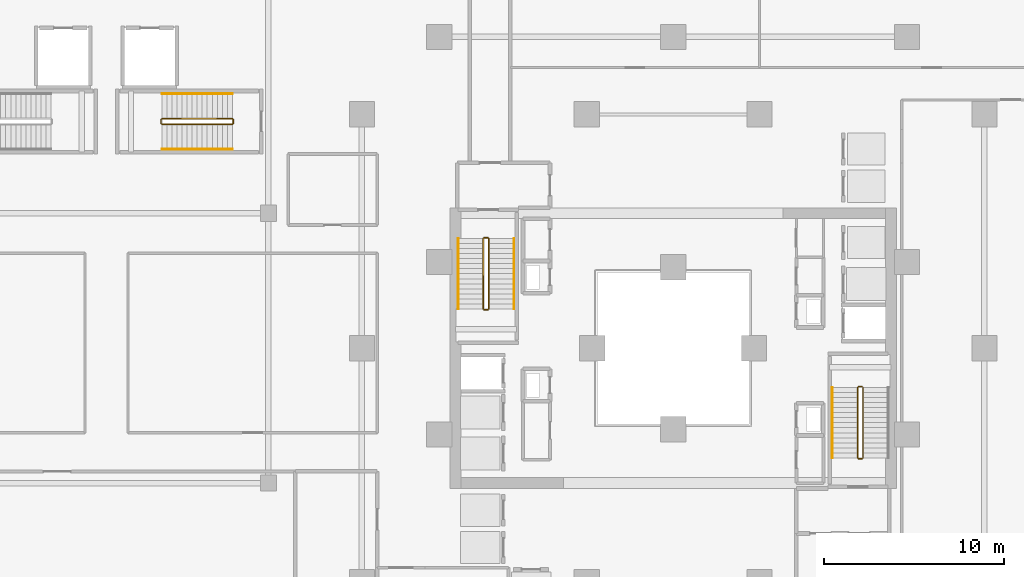
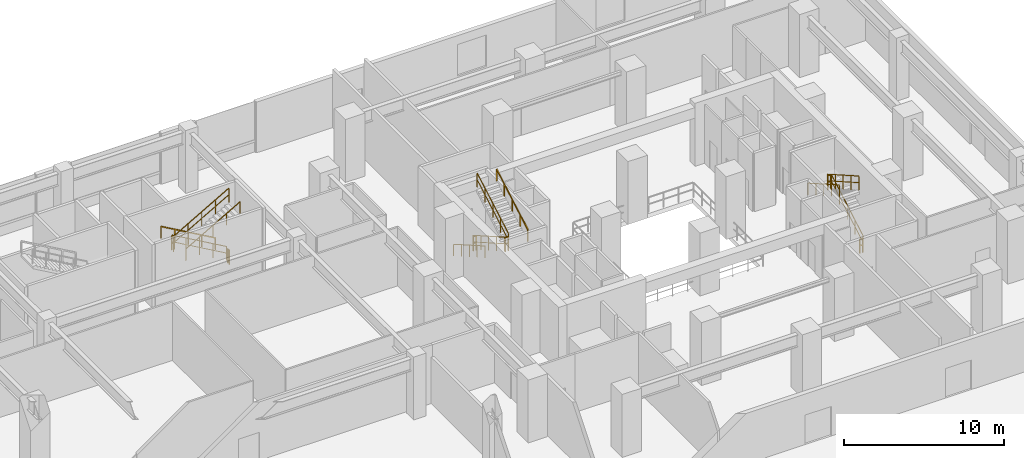
# One storey, part 22 of 24: 17 railings.
"""IFC4 building model written with IfcOpenShell, lengths in metres."""

from ifc_helpers import new_model, si_unit, direction, frame, origin, origin_2d, place, context, subcontext, project, spatial, rectangle, extrude, material, type_object, element, save


model = new_model("IFC4")

# Units and contexts
model_context = context("Model", 3, precision=1e-05, world=origin(), true_north=direction((0.0, 1.0)))
body_context = subcontext(model_context, "Body", "Model", "MODEL_VIEW")
ifc_project = project(units=[si_unit("LENGTHUNIT", "METRE"), si_unit("AREAUNIT", "SQUARE_METRE"), si_unit("VOLUMEUNIT", "CUBIC_METRE"), si_unit("PLANEANGLEUNIT", "RADIAN"), si_unit("MASSUNIT", "GRAM", prefix="KILO")], contexts=[model_context])

# Site, building, storey
site_placement = place(None, origin())
site = spatial("IfcSite", under=ifc_project, at=site_placement, CompositionType="ELEMENT")
building_placement = place(site_placement, origin())
building = spatial("IfcBuilding", under=site, at=building_placement, Name="Thornwick Lancets Civic Towers", CompositionType="ELEMENT")
storey_placement = place(building_placement, origin())
storey = spatial("IfcBuildingStorey", under=building, at=storey_placement, Name="L00", CompositionType="ELEMENT", Elevation=0.0)

# Railings
ifc_material_1 = material(Name="Brushed stainless steel S355", Category="steel")
railing_type_1 = type_object("IfcRailingType", Name="RAIL_HANDRAIL", PredefinedType="HANDRAIL", material=ifc_material_1)
for number, where, name in (
    (1, (97.35009765625, 24.820068359375, 2.56005859375), "L00 ST-B1 stair handrail 2"),
    (2, (76.550048828125, 33.10009765625, 0.159912109375), "L00 ST-B2 stair handrail 1"),
):
    element("IfcRailing", number, at=place(storey_placement, frame(where)), inside=storey, type_object=railing_type_1, Name=name, PredefinedType="HANDRAIL", context=body_context, shape_type="SweptSolid", body=[
        extrude(rectangle(XDim=0.048095703125, YDim=0.048095703125, at=origin_2d()), frame((0.0, 0.0, 0.8857421875), z_axis=(0.0, -0.86825312469, 0.496121468458), x_axis=(1.0, 0.0, 0.0)), (0.0, 0.0, 1.0), 4.514892578125),
        extrude(rectangle(XDim=0.0419921875, YDim=0.0419921875, at=origin_2d()), origin(), (0.0, 0.0, 1.0), 0.855712890625),
        extrude(rectangle(XDim=0.0419921875, YDim=0.0419921875, at=origin_2d()), frame((0.0, -0.97998046875, 0.56005859375)), (0.0, 0.0, 1.0), 0.855712890625),
        extrude(rectangle(XDim=0.0419921875, YDim=0.0419921875, at=origin_2d()), frame((0.0, -1.9599609375, 1.1201171875)), (0.0, 0.0, 1.0), 0.855712890625),
        extrude(rectangle(XDim=0.0419921875, YDim=0.0419921875, at=origin_2d()), frame((0.0, -2.940185546875, 1.679931640625)), (0.0, 0.0, 1.0), 0.855712890625),
        extrude(rectangle(XDim=0.0419921875, YDim=0.0419921875, at=origin_2d()), frame((0.0, -3.920166015625, 2.239990234375)), (0.0, 0.0, 1.0), 0.855712890625),
    ])
railing_1_placement = place(storey_placement, frame((79.64990234375, 29.179931640625, 2.56005859375)))
element("IfcRailing", 3, at=railing_1_placement, inside=storey, type_object=railing_type_1, Name="L00 ST-B2 stair handrail 2", PredefinedType="HANDRAIL", context=body_context, shape_type="SweptSolid", body=[
    extrude(rectangle(XDim=0.048095703125, YDim=0.048095703125, at=origin_2d()), frame((0.0, 0.0, 0.8857421875), z_axis=(0.0, 0.86825312469, 0.496121468458), x_axis=(-1.0, 0.0, 0.0)), (0.0, 0.0, 1.0), 4.514892578125),
    extrude(rectangle(XDim=0.0419921875, YDim=0.0419921875, at=origin_2d()), origin(), (0.0, 0.0, 1.0), 0.855712890625),
    extrude(rectangle(XDim=0.0419921875, YDim=0.0419921875, at=origin_2d()), frame((0.0, 0.97998046875, 0.56005859375)), (0.0, 0.0, 1.0), 0.855712890625),
    extrude(rectangle(XDim=0.0419921875, YDim=0.0419921875, at=origin_2d()), frame((0.0, 1.9599609375, 1.1201171875)), (0.0, 0.0, 1.0), 0.855712890625),
    extrude(rectangle(XDim=0.0419921875, YDim=0.0419921875, at=origin_2d()), frame((0.0, 2.940185546875, 1.679931640625)), (0.0, 0.0, 1.0), 0.855712890625),
    extrude(rectangle(XDim=0.0419921875, YDim=0.0419921875, at=origin_2d()), frame((0.0, 3.920166015625, 2.239990234375)), (0.0, 0.0, 1.0), 0.855712890625),
])
railing_2_placement = place(storey_placement, frame((64.0, 41.14990234375, 0.159912109375)))
element("IfcRailing", 4, at=railing_2_placement, inside=storey, type_object=railing_type_1, Name="L00 ST-P6 stair handrail 1", PredefinedType="HANDRAIL", context=body_context, shape_type="SweptSolid", body=[
    extrude(rectangle(XDim=0.048095703125, YDim=0.048095703125, at=origin_2d()), frame((0.0, 0.0, 0.8857421875), z_axis=(-0.868239814368, 0.0, 0.496144761885), x_axis=(0.0, -1.0, 0.0)), (0.0, 0.0, 1.0), 4.514892578125),
    extrude(rectangle(XDim=0.0419921875, YDim=0.0419921875, at=origin_2d()), origin(), (0.0, 0.0, 1.0), 0.855712890625),
    extrude(rectangle(XDim=0.0419921875, YDim=0.0419921875, at=origin_2d()), frame((-0.97998046875, 0.0, 0.56005859375)), (0.0, 0.0, 1.0), 0.855712890625),
    extrude(rectangle(XDim=0.0419921875, YDim=0.0419921875, at=origin_2d()), frame((-1.9599609375, 0.0, 1.1201171875)), (0.0, 0.0, 1.0), 0.855712890625),
    extrude(rectangle(XDim=0.0419921875, YDim=0.0419921875, at=origin_2d()), frame((-2.93994140625, 0.0, 1.679931640625)), (0.0, 0.0, 1.0), 0.855712890625),
    extrude(rectangle(XDim=0.0419921875, YDim=0.0419921875, at=origin_2d()), frame((-3.919921875, 0.0, 2.239990234375)), (0.0, 0.0, 1.0), 0.855712890625),
])
railing_3_placement = place(storey_placement, frame((60.080078125, 38.050048828125, 2.56005859375)))
element("IfcRailing", 5, at=railing_3_placement, inside=storey, type_object=railing_type_1, Name="L00 ST-P6 stair handrail 2", PredefinedType="HANDRAIL", context=body_context, shape_type="SweptSolid", body=[
    extrude(rectangle(XDim=0.048095703125, YDim=0.048095703125, at=origin_2d()), frame((0.0, 0.0, 0.8857421875), z_axis=(0.868239814368, 0.0, 0.496144761885), x_axis=(0.0, 1.0, 0.0)), (0.0, 0.0, 1.0), 4.514892578125),
    extrude(rectangle(XDim=0.0419921875, YDim=0.0419921875, at=origin_2d()), origin(), (0.0, 0.0, 1.0), 0.855712890625),
    extrude(rectangle(XDim=0.0419921875, YDim=0.0419921875, at=origin_2d()), frame((0.97998046875, 0.0, 0.56005859375)), (0.0, 0.0, 1.0), 0.855712890625),
    extrude(rectangle(XDim=0.0419921875, YDim=0.0419921875, at=origin_2d()), frame((1.9599609375, 0.0, 1.1201171875)), (0.0, 0.0, 1.0), 0.855712890625),
    extrude(rectangle(XDim=0.0419921875, YDim=0.0419921875, at=origin_2d()), frame((2.93994140625, 0.0, 1.679931640625)), (0.0, 0.0, 1.0), 0.855712890625),
    extrude(rectangle(XDim=0.0419921875, YDim=0.0419921875, at=origin_2d()), frame((3.919921875, 0.0, 2.239990234375)), (0.0, 0.0, 1.0), 0.855712890625),
])
ifc_material_2 = material(Name="Steel S355JR", Category="steel")
railing_type_2 = type_object("IfcRailingType", Name="RAIL_STAIR_GUARD", PredefinedType="GUARDRAIL", material=ifc_material_2)
railing_4_placement = place(storey_placement, frame((99.050048828125, 20.89990234375, 0.159912109375)))
element("IfcRailing", 6, at=railing_4_placement, inside=storey, type_object=railing_type_2, Name="L00 ST-B1 stair guard 1", PredefinedType="GUARDRAIL", context=body_context, shape_type="SweptSolid", body=[
    extrude(rectangle(XDim=0.048095703125, YDim=0.048095703125, at=origin_2d()), frame((0.0, 0.0, 1.076171875), z_axis=(0.0, 0.86825312469, 0.496121468458), x_axis=(-1.0, 0.0, 0.0)), (0.0, 0.0, 1.0), 4.514892578125),
    extrude(rectangle(XDim=0.0419921875, YDim=0.0419921875, at=origin_2d()), frame((0.0, 0.032470703125, 0.590576171875), z_axis=(0.0, 0.86825312469, 0.496121468458), x_axis=(-1.0, 0.0, 0.0)), (0.0, 0.0, 1.0), 1.0537109375),
    extrude(rectangle(XDim=0.0419921875, YDim=0.0419921875, at=origin_2d()), frame((0.0, 1.0126953125, 1.150634765625), z_axis=(0.0, 0.86825312469, 0.496121468458), x_axis=(-1.0, 0.0, 0.0)), (0.0, 0.0, 1.0), 1.0537109375),
    extrude(rectangle(XDim=0.0419921875, YDim=0.0419921875, at=origin_2d()), frame((0.0, 1.99267578125, 1.710693359375), z_axis=(0.0, 0.86825312469, 0.496121468458), x_axis=(-1.0, 0.0, 0.0)), (0.0, 0.0, 1.0), 1.0537109375),
    extrude(rectangle(XDim=0.0419921875, YDim=0.0419921875, at=origin_2d()), frame((0.0, 2.97265625, 2.270751953125), z_axis=(0.0, 0.86825312469, 0.496121468458), x_axis=(-1.0, 0.0, 0.0)), (0.0, 0.0, 1.0), 1.0537109375),
    extrude(rectangle(XDim=0.0419921875, YDim=0.0419921875, at=origin_2d()), origin(), (0.0, 0.0, 1.0), 1.0458984375),
    extrude(rectangle(XDim=0.0419921875, YDim=0.0419921875, at=origin_2d()), frame((0.0, 0.97998046875, 0.56005859375)), (0.0, 0.0, 1.0), 1.0458984375),
    extrude(rectangle(XDim=0.0419921875, YDim=0.0419921875, at=origin_2d()), frame((0.0, 1.9599609375, 1.1201171875)), (0.0, 0.0, 1.0), 1.0458984375),
    extrude(rectangle(XDim=0.0419921875, YDim=0.0419921875, at=origin_2d()), frame((0.0, 2.940185546875, 1.679931640625)), (0.0, 0.0, 1.0), 1.0458984375),
    extrude(rectangle(XDim=0.0419921875, YDim=0.0419921875, at=origin_2d()), frame((0.0, 3.920166015625, 2.239990234375)), (0.0, 0.0, 1.0), 1.0458984375),
])
railing_5_placement = place(storey_placement, frame((99.0, 24.8701171875, 2.39990234375)))
element("IfcRailing", 7, at=railing_5_placement, inside=storey, type_object=railing_type_2, Name="L00 ST-B1 stair guard 2", PredefinedType="GUARDRAIL", context=body_context, shape_type="SweptSolid", body=[
    extrude(rectangle(XDim=0.048095703125, YDim=0.048095703125, at=origin_2d()), frame((0.0, 0.0, 1.076171875), z_axis=(-1.0, 0.0, 0.0), x_axis=(0.0, -1.0, 0.0)), (0.0, 0.0, 1.0), 0.199951171875),
    extrude(rectangle(XDim=0.0419921875, YDim=0.0419921875, at=origin_2d()), frame((-0.03759765625, 0.0, 0.572021484375), z_axis=(-1.0, 0.0, 0.0), x_axis=(0.0, -1.0, 0.0)), (0.0, 0.0, 1.0), 0.125),
    extrude(rectangle(XDim=0.0419921875, YDim=0.0419921875, at=origin_2d()), origin(), (0.0, 0.0, 1.0), 1.0458984375),
    extrude(rectangle(XDim=0.0419921875, YDim=0.0419921875, at=origin_2d()), frame((-0.199951171875, 0.0, 0.0)), (0.0, 0.0, 1.0), 1.0458984375),
])
railing_6_placement = place(storey_placement, frame((98.75, 24.820068359375, 2.56005859375)))
element("IfcRailing", 8, at=railing_6_placement, inside=storey, type_object=railing_type_2, Name="L00 ST-B1 stair guard 3", PredefinedType="GUARDRAIL", context=body_context, shape_type="SweptSolid", body=[
    extrude(rectangle(XDim=0.048095703125, YDim=0.048095703125, at=origin_2d()), frame((0.0, 0.0, 1.076171875), z_axis=(0.0, -0.86825312469, 0.496121468458), x_axis=(1.0, 0.0, 0.0)), (0.0, 0.0, 1.0), 4.514892578125),
    extrude(rectangle(XDim=0.0419921875, YDim=0.0419921875, at=origin_2d()), frame((0.0, -0.032470703125, 0.590576171875), z_axis=(0.0, -0.86825312469, 0.496121468458), x_axis=(1.0, 0.0, 0.0)), (0.0, 0.0, 1.0), 1.0537109375),
    extrude(rectangle(XDim=0.0419921875, YDim=0.0419921875, at=origin_2d()), frame((0.0, -1.0126953125, 1.150634765625), z_axis=(0.0, -0.86825312469, 0.496121468458), x_axis=(1.0, 0.0, 0.0)), (0.0, 0.0, 1.0), 1.0537109375),
    extrude(rectangle(XDim=0.0419921875, YDim=0.0419921875, at=origin_2d()), frame((0.0, -1.99267578125, 1.710693359375), z_axis=(0.0, -0.86825312469, 0.496121468458), x_axis=(1.0, 0.0, 0.0)), (0.0, 0.0, 1.0), 1.0537109375),
    extrude(rectangle(XDim=0.0419921875, YDim=0.0419921875, at=origin_2d()), frame((0.0, -2.97265625, 2.270751953125), z_axis=(0.0, -0.86825312469, 0.496121468458), x_axis=(1.0, 0.0, 0.0)), (0.0, 0.0, 1.0), 1.0537109375),
    extrude(rectangle(XDim=0.0419921875, YDim=0.0419921875, at=origin_2d()), origin(), (0.0, 0.0, 1.0), 1.0458984375),
    extrude(rectangle(XDim=0.0419921875, YDim=0.0419921875, at=origin_2d()), frame((0.0, -0.97998046875, 0.56005859375)), (0.0, 0.0, 1.0), 1.0458984375),
    extrude(rectangle(XDim=0.0419921875, YDim=0.0419921875, at=origin_2d()), frame((0.0, -1.9599609375, 1.1201171875)), (0.0, 0.0, 1.0), 1.0458984375),
    extrude(rectangle(XDim=0.0419921875, YDim=0.0419921875, at=origin_2d()), frame((0.0, -2.940185546875, 1.679931640625)), (0.0, 0.0, 1.0), 1.0458984375),
    extrude(rectangle(XDim=0.0419921875, YDim=0.0419921875, at=origin_2d()), frame((0.0, -3.920166015625, 2.239990234375)), (0.0, 0.0, 1.0), 1.0458984375),
])
railing_7_placement = place(storey_placement, frame((99.0, 20.85009765625, 0.0)))
element("IfcRailing", 9, at=railing_7_placement, inside=storey, type_object=railing_type_2, Name="L00 ST-B1 stair guard 4", PredefinedType="GUARDRAIL", context=body_context, shape_type="SweptSolid", body=[
    extrude(rectangle(XDim=0.048095703125, YDim=0.048095703125, at=origin_2d()), frame((0.0, 0.0, 1.076171875), z_axis=(-1.0, 0.0, 0.0), x_axis=(0.0, -1.0, 0.0)), (0.0, 0.0, 1.0), 0.199951171875),
    extrude(rectangle(XDim=0.0419921875, YDim=0.0419921875, at=origin_2d()), frame((-0.03759765625, 0.0, 0.572021484375), z_axis=(-1.0, 0.0, 0.0), x_axis=(0.0, -1.0, 0.0)), (0.0, 0.0, 1.0), 0.125),
    extrude(rectangle(XDim=0.0419921875, YDim=0.0419921875, at=origin_2d()), origin(), (0.0, 0.0, 1.0), 1.0458984375),
    extrude(rectangle(XDim=0.0419921875, YDim=0.0419921875, at=origin_2d()), frame((-0.199951171875, 0.0, 0.0)), (0.0, 0.0, 1.0), 1.0458984375),
])
railing_8_placement = place(storey_placement, frame((77.949951171875, 33.10009765625, 0.159912109375)))
element("IfcRailing", 10, at=railing_8_placement, inside=storey, type_object=railing_type_2, Name="L00 ST-B2 stair guard 1", PredefinedType="GUARDRAIL", context=body_context, shape_type="SweptSolid", body=[
    extrude(rectangle(XDim=0.048095703125, YDim=0.048095703125, at=origin_2d()), frame((0.0, 0.0, 1.076171875), z_axis=(0.0, -0.86825312469, 0.496121468458), x_axis=(1.0, 0.0, 0.0)), (0.0, 0.0, 1.0), 4.514892578125),
    extrude(rectangle(XDim=0.0419921875, YDim=0.0419921875, at=origin_2d()), frame((0.0, -0.032470703125, 0.590576171875), z_axis=(0.0, -0.86825312469, 0.496121468458), x_axis=(1.0, 0.0, 0.0)), (0.0, 0.0, 1.0), 1.0537109375),
    extrude(rectangle(XDim=0.0419921875, YDim=0.0419921875, at=origin_2d()), frame((0.0, -1.0126953125, 1.150634765625), z_axis=(0.0, -0.86825312469, 0.496121468458), x_axis=(1.0, 0.0, 0.0)), (0.0, 0.0, 1.0), 1.0537109375),
    extrude(rectangle(XDim=0.0419921875, YDim=0.0419921875, at=origin_2d()), frame((0.0, -1.99267578125, 1.710693359375), z_axis=(0.0, -0.86825312469, 0.496121468458), x_axis=(1.0, 0.0, 0.0)), (0.0, 0.0, 1.0), 1.0537109375),
    extrude(rectangle(XDim=0.0419921875, YDim=0.0419921875, at=origin_2d()), frame((0.0, -2.97265625, 2.270751953125), z_axis=(0.0, -0.86825312469, 0.496121468458), x_axis=(1.0, 0.0, 0.0)), (0.0, 0.0, 1.0), 1.0537109375),
    extrude(rectangle(XDim=0.0419921875, YDim=0.0419921875, at=origin_2d()), origin(), (0.0, 0.0, 1.0), 1.0458984375),
    extrude(rectangle(XDim=0.0419921875, YDim=0.0419921875, at=origin_2d()), frame((0.0, -0.97998046875, 0.56005859375)), (0.0, 0.0, 1.0), 1.0458984375),
    extrude(rectangle(XDim=0.0419921875, YDim=0.0419921875, at=origin_2d()), frame((0.0, -1.9599609375, 1.1201171875)), (0.0, 0.0, 1.0), 1.0458984375),
    extrude(rectangle(XDim=0.0419921875, YDim=0.0419921875, at=origin_2d()), frame((0.0, -2.940185546875, 1.679931640625)), (0.0, 0.0, 1.0), 1.0458984375),
    extrude(rectangle(XDim=0.0419921875, YDim=0.0419921875, at=origin_2d()), frame((0.0, -3.920166015625, 2.239990234375)), (0.0, 0.0, 1.0), 1.0458984375),
])
railing_9_placement = place(storey_placement, frame((78.0, 29.1298828125, 2.39990234375)))
element("IfcRailing", 11, at=railing_9_placement, inside=storey, type_object=railing_type_2, Name="L00 ST-B2 stair guard 2", PredefinedType="GUARDRAIL", context=body_context, shape_type="SweptSolid", body=[
    extrude(rectangle(XDim=0.048095703125, YDim=0.048095703125, at=origin_2d()), frame((0.0, 0.0, 1.076171875), z_axis=(1.0, 0.0, 0.0), x_axis=(0.0, 1.0, 0.0)), (0.0, 0.0, 1.0), 0.199951171875),
    extrude(rectangle(XDim=0.0419921875, YDim=0.0419921875, at=origin_2d()), frame((0.03759765625, 0.0, 0.572021484375), z_axis=(1.0, 0.0, 0.0), x_axis=(0.0, 1.0, 0.0)), (0.0, 0.0, 1.0), 0.125),
    extrude(rectangle(XDim=0.0419921875, YDim=0.0419921875, at=origin_2d()), origin(), (0.0, 0.0, 1.0), 1.0458984375),
    extrude(rectangle(XDim=0.0419921875, YDim=0.0419921875, at=origin_2d()), frame((0.199951171875, 0.0, 0.0)), (0.0, 0.0, 1.0), 1.0458984375),
])
railing_10_placement = place(storey_placement, frame((78.25, 29.179931640625, 2.56005859375)))
element("IfcRailing", 12, at=railing_10_placement, inside=storey, type_object=railing_type_2, Name="L00 ST-B2 stair guard 3", PredefinedType="GUARDRAIL", context=body_context, shape_type="SweptSolid", body=[
    extrude(rectangle(XDim=0.048095703125, YDim=0.048095703125, at=origin_2d()), frame((0.0, 0.0, 1.076171875), z_axis=(0.0, 0.86825312469, 0.496121468458), x_axis=(-1.0, 0.0, 0.0)), (0.0, 0.0, 1.0), 4.514892578125),
    extrude(rectangle(XDim=0.0419921875, YDim=0.0419921875, at=origin_2d()), frame((0.0, 0.032470703125, 0.590576171875), z_axis=(0.0, 0.86825312469, 0.496121468458), x_axis=(-1.0, 0.0, 0.0)), (0.0, 0.0, 1.0), 1.0537109375),
    extrude(rectangle(XDim=0.0419921875, YDim=0.0419921875, at=origin_2d()), frame((0.0, 1.0126953125, 1.150634765625), z_axis=(0.0, 0.86825312469, 0.496121468458), x_axis=(-1.0, 0.0, 0.0)), (0.0, 0.0, 1.0), 1.0537109375),
    extrude(rectangle(XDim=0.0419921875, YDim=0.0419921875, at=origin_2d()), frame((0.0, 1.99267578125, 1.710693359375), z_axis=(0.0, 0.86825312469, 0.496121468458), x_axis=(-1.0, 0.0, 0.0)), (0.0, 0.0, 1.0), 1.0537109375),
    extrude(rectangle(XDim=0.0419921875, YDim=0.0419921875, at=origin_2d()), frame((0.0, 2.97265625, 2.270751953125), z_axis=(0.0, 0.86825312469, 0.496121468458), x_axis=(-1.0, 0.0, 0.0)), (0.0, 0.0, 1.0), 1.0537109375),
    extrude(rectangle(XDim=0.0419921875, YDim=0.0419921875, at=origin_2d()), origin(), (0.0, 0.0, 1.0), 1.0458984375),
    extrude(rectangle(XDim=0.0419921875, YDim=0.0419921875, at=origin_2d()), frame((0.0, 0.97998046875, 0.56005859375)), (0.0, 0.0, 1.0), 1.0458984375),
    extrude(rectangle(XDim=0.0419921875, YDim=0.0419921875, at=origin_2d()), frame((0.0, 1.9599609375, 1.1201171875)), (0.0, 0.0, 1.0), 1.0458984375),
    extrude(rectangle(XDim=0.0419921875, YDim=0.0419921875, at=origin_2d()), frame((0.0, 2.940185546875, 1.679931640625)), (0.0, 0.0, 1.0), 1.0458984375),
    extrude(rectangle(XDim=0.0419921875, YDim=0.0419921875, at=origin_2d()), frame((0.0, 3.920166015625, 2.239990234375)), (0.0, 0.0, 1.0), 1.0458984375),
])
railing_11_placement = place(storey_placement, frame((78.0, 33.14990234375, 0.0)))
element("IfcRailing", 13, at=railing_11_placement, inside=storey, type_object=railing_type_2, Name="L00 ST-B2 stair guard 4", PredefinedType="GUARDRAIL", context=body_context, shape_type="SweptSolid", body=[
    extrude(rectangle(XDim=0.048095703125, YDim=0.048095703125, at=origin_2d()), frame((0.0, 0.0, 1.076171875), z_axis=(1.0, 0.0, 0.0), x_axis=(0.0, 1.0, 0.0)), (0.0, 0.0, 1.0), 0.199951171875),
    extrude(rectangle(XDim=0.0419921875, YDim=0.0419921875, at=origin_2d()), frame((0.03759765625, 0.0, 0.572021484375), z_axis=(1.0, 0.0, 0.0), x_axis=(0.0, 1.0, 0.0)), (0.0, 0.0, 1.0), 0.125),
    extrude(rectangle(XDim=0.0419921875, YDim=0.0419921875, at=origin_2d()), origin(), (0.0, 0.0, 1.0), 1.0458984375),
    extrude(rectangle(XDim=0.0419921875, YDim=0.0419921875, at=origin_2d()), frame((0.199951171875, 0.0, 0.0)), (0.0, 0.0, 1.0), 1.0458984375),
])
railing_12_placement = place(storey_placement, frame((64.0, 39.75, 0.159912109375)))
element("IfcRailing", 14, at=railing_12_placement, inside=storey, type_object=railing_type_2, Name="L00 ST-P6 stair guard 1", PredefinedType="GUARDRAIL", context=body_context, shape_type="SweptSolid", body=[
    extrude(rectangle(XDim=0.048095703125, YDim=0.048095703125, at=origin_2d()), frame((0.0, 0.0, 1.076171875), z_axis=(-0.868239814368, 0.0, 0.496144761885), x_axis=(0.0, -1.0, 0.0)), (0.0, 0.0, 1.0), 4.514892578125),
    extrude(rectangle(XDim=0.0419921875, YDim=0.0419921875, at=origin_2d()), frame((-0.032470703125, 0.0, 0.590576171875), z_axis=(-0.868239814368, 0.0, 0.496144761885), x_axis=(0.0, -1.0, 0.0)), (0.0, 0.0, 1.0), 1.0537109375),
    extrude(rectangle(XDim=0.0419921875, YDim=0.0419921875, at=origin_2d()), frame((-1.012451171875, 0.0, 1.150634765625), z_axis=(-0.868239814368, 0.0, 0.496144761885), x_axis=(0.0, -1.0, 0.0)), (0.0, 0.0, 1.0), 1.0537109375),
    extrude(rectangle(XDim=0.0419921875, YDim=0.0419921875, at=origin_2d()), frame((-1.992431640625, 0.0, 1.710693359375), z_axis=(-0.868239814368, 0.0, 0.496144761885), x_axis=(0.0, -1.0, 0.0)), (0.0, 0.0, 1.0), 1.0537109375),
    extrude(rectangle(XDim=0.0419921875, YDim=0.0419921875, at=origin_2d()), frame((-2.972412109375, 0.0, 2.270751953125), z_axis=(-0.868239814368, 0.0, 0.496144761885), x_axis=(0.0, -1.0, 0.0)), (0.0, 0.0, 1.0), 1.0537109375),
    extrude(rectangle(XDim=0.0419921875, YDim=0.0419921875, at=origin_2d()), origin(), (0.0, 0.0, 1.0), 1.0458984375),
    extrude(rectangle(XDim=0.0419921875, YDim=0.0419921875, at=origin_2d()), frame((-0.97998046875, 0.0, 0.56005859375)), (0.0, 0.0, 1.0), 1.0458984375),
    extrude(rectangle(XDim=0.0419921875, YDim=0.0419921875, at=origin_2d()), frame((-1.9599609375, 0.0, 1.1201171875)), (0.0, 0.0, 1.0), 1.0458984375),
    extrude(rectangle(XDim=0.0419921875, YDim=0.0419921875, at=origin_2d()), frame((-2.93994140625, 0.0, 1.679931640625)), (0.0, 0.0, 1.0), 1.0458984375),
    extrude(rectangle(XDim=0.0419921875, YDim=0.0419921875, at=origin_2d()), frame((-3.919921875, 0.0, 2.239990234375)), (0.0, 0.0, 1.0), 1.0458984375),
])
railing_13_placement = place(storey_placement, frame((60.030029296875, 39.699951171875, 2.39990234375)))
element("IfcRailing", 15, at=railing_13_placement, inside=storey, type_object=railing_type_2, Name="L00 ST-P6 stair guard 2", PredefinedType="GUARDRAIL", context=body_context, shape_type="SweptSolid", body=[
    extrude(rectangle(XDim=0.048095703125, YDim=0.048095703125, at=origin_2d()), frame((0.0, 0.0, 1.076171875), z_axis=(0.0, -1.0, 0.0), x_axis=(1.0, 0.0, 0.0)), (0.0, 0.0, 1.0), 0.199951171875),
    extrude(rectangle(XDim=0.0419921875, YDim=0.0419921875, at=origin_2d()), frame((0.0, -0.03759765625, 0.572021484375), z_axis=(0.0, -1.0, 0.0), x_axis=(1.0, 0.0, 0.0)), (0.0, 0.0, 1.0), 0.125),
    extrude(rectangle(XDim=0.0419921875, YDim=0.0419921875, at=origin_2d()), origin(), (0.0, 0.0, 1.0), 1.0458984375),
    extrude(rectangle(XDim=0.0419921875, YDim=0.0419921875, at=origin_2d()), frame((0.0, -0.199951171875, 0.0)), (0.0, 0.0, 1.0), 1.0458984375),
])
railing_14_placement = place(storey_placement, frame((60.080078125, 39.449951171875, 2.56005859375)))
element("IfcRailing", 16, at=railing_14_placement, inside=storey, type_object=railing_type_2, Name="L00 ST-P6 stair guard 3", PredefinedType="GUARDRAIL", context=body_context, shape_type="SweptSolid", body=[
    extrude(rectangle(XDim=0.048095703125, YDim=0.048095703125, at=origin_2d()), frame((0.0, 0.0, 1.076171875), z_axis=(0.868239814368, 0.0, 0.496144761885), x_axis=(0.0, 1.0, 0.0)), (0.0, 0.0, 1.0), 4.514892578125),
    extrude(rectangle(XDim=0.0419921875, YDim=0.0419921875, at=origin_2d()), frame((0.032470703125, 0.0, 0.590576171875), z_axis=(0.868239814368, 0.0, 0.496144761885), x_axis=(0.0, 1.0, 0.0)), (0.0, 0.0, 1.0), 1.0537109375),
    extrude(rectangle(XDim=0.0419921875, YDim=0.0419921875, at=origin_2d()), frame((1.012451171875, 0.0, 1.150634765625), z_axis=(0.868239814368, 0.0, 0.496144761885), x_axis=(0.0, 1.0, 0.0)), (0.0, 0.0, 1.0), 1.0537109375),
    extrude(rectangle(XDim=0.0419921875, YDim=0.0419921875, at=origin_2d()), frame((1.992431640625, 0.0, 1.710693359375), z_axis=(0.868239814368, 0.0, 0.496144761885), x_axis=(0.0, 1.0, 0.0)), (0.0, 0.0, 1.0), 1.0537109375),
    extrude(rectangle(XDim=0.0419921875, YDim=0.0419921875, at=origin_2d()), frame((2.972412109375, 0.0, 2.270751953125), z_axis=(0.868239814368, 0.0, 0.496144761885), x_axis=(0.0, 1.0, 0.0)), (0.0, 0.0, 1.0), 1.0537109375),
    extrude(rectangle(XDim=0.0419921875, YDim=0.0419921875, at=origin_2d()), origin(), (0.0, 0.0, 1.0), 1.0458984375),
    extrude(rectangle(XDim=0.0419921875, YDim=0.0419921875, at=origin_2d()), frame((0.97998046875, 0.0, 0.56005859375)), (0.0, 0.0, 1.0), 1.0458984375),
    extrude(rectangle(XDim=0.0419921875, YDim=0.0419921875, at=origin_2d()), frame((1.9599609375, 0.0, 1.1201171875)), (0.0, 0.0, 1.0), 1.0458984375),
    extrude(rectangle(XDim=0.0419921875, YDim=0.0419921875, at=origin_2d()), frame((2.93994140625, 0.0, 1.679931640625)), (0.0, 0.0, 1.0), 1.0458984375),
    extrude(rectangle(XDim=0.0419921875, YDim=0.0419921875, at=origin_2d()), frame((3.919921875, 0.0, 2.239990234375)), (0.0, 0.0, 1.0), 1.0458984375),
])
railing_15_placement = place(storey_placement, frame((64.050048828125, 39.699951171875, 0.0)))
element("IfcRailing", 17, at=railing_15_placement, inside=storey, type_object=railing_type_2, Name="L00 ST-P6 stair guard 4", PredefinedType="GUARDRAIL", context=body_context, shape_type="SweptSolid", body=[
    extrude(rectangle(XDim=0.048095703125, YDim=0.048095703125, at=origin_2d()), frame((0.0, 0.0, 1.076171875), z_axis=(0.0, -1.0, 0.0), x_axis=(1.0, 0.0, 0.0)), (0.0, 0.0, 1.0), 0.199951171875),
    extrude(rectangle(XDim=0.0419921875, YDim=0.0419921875, at=origin_2d()), frame((0.0, -0.03759765625, 0.572021484375), z_axis=(0.0, -1.0, 0.0), x_axis=(1.0, 0.0, 0.0)), (0.0, 0.0, 1.0), 0.125),
    extrude(rectangle(XDim=0.0419921875, YDim=0.0419921875, at=origin_2d()), origin(), (0.0, 0.0, 1.0), 1.0458984375),
    extrude(rectangle(XDim=0.0419921875, YDim=0.0419921875, at=origin_2d()), frame((0.0, -0.199951171875, 0.0)), (0.0, 0.0, 1.0), 1.0458984375),
])

save(model, "model.ifc")
